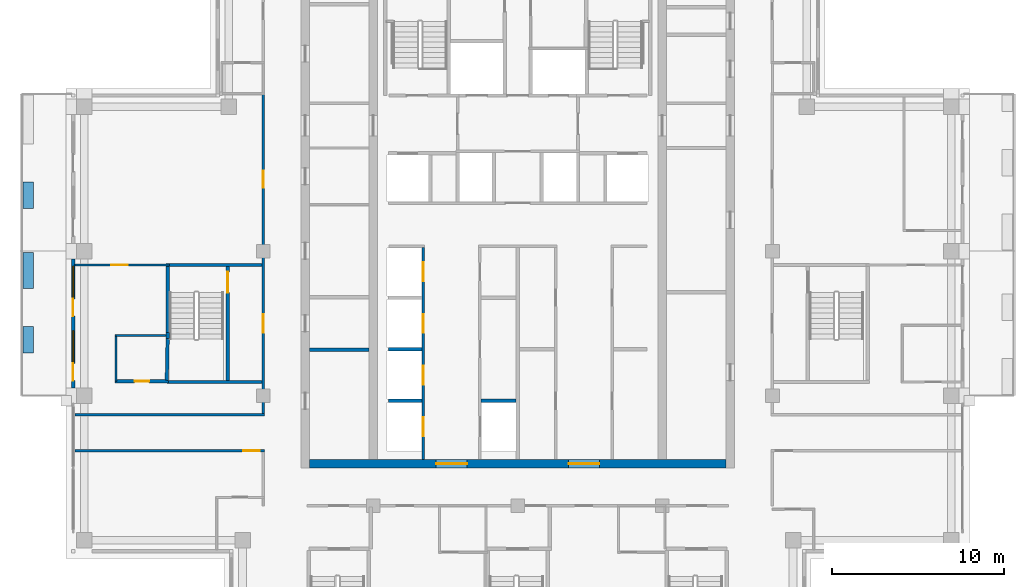
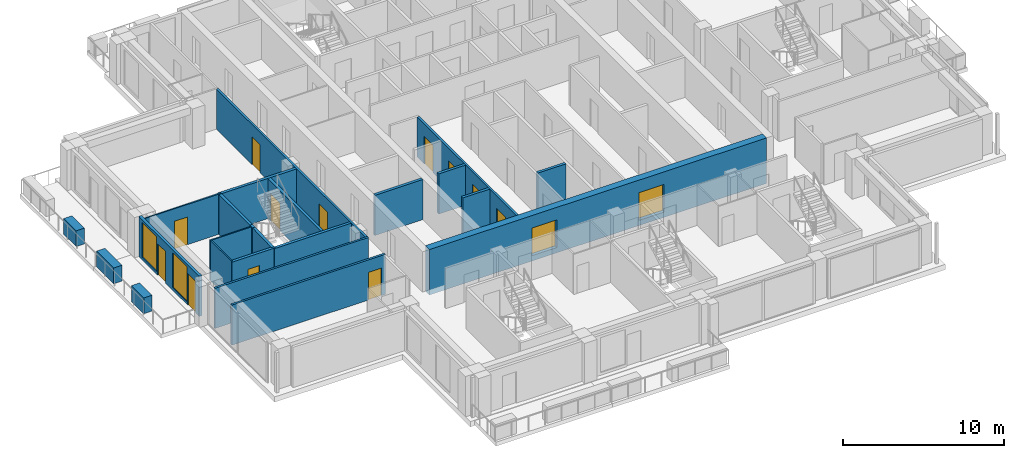
# One storey, part 7 of 16: 23 walls, 14 doors, 2 windows, 16 openings.
"""IFC4 building model written with IfcOpenShell, lengths in metres."""

from ifc_helpers import new_model, si_unit, direction, frame, frame_2d, origin, place, context, subcontext, project, spatial, rectangle, extrude, material, layer, layer_set, type_object, element, fill, save


model = new_model("IFC4")

# Units and contexts
model_context = context("Model", 3, precision=1e-05, world=origin(), true_north=direction((0.0, 1.0)))
body_context = subcontext(model_context, "Body", "Model", "MODEL_VIEW")
ifc_project = project(units=[si_unit("LENGTHUNIT", "METRE"), si_unit("AREAUNIT", "SQUARE_METRE"), si_unit("VOLUMEUNIT", "CUBIC_METRE"), si_unit("PLANEANGLEUNIT", "RADIAN"), si_unit("MASSUNIT", "GRAM", prefix="KILO")], contexts=[model_context])

# Site, building, storey
site_placement = place(None, origin())
site = spatial("IfcSite", under=ifc_project, at=site_placement, CompositionType="ELEMENT")
building_placement = place(site_placement, origin())
building = spatial("IfcBuilding", under=site, at=building_placement, Name="Vermilion Ogive Tower", CompositionType="ELEMENT")
storey_placement = place(building_placement, frame((0.0, 0.0, 251.050048828125)))
storey = spatial("IfcBuildingStorey", under=building, at=storey_placement, Name="L66", CompositionType="ELEMENT", Elevation=251.050048828125)

# Wall, openings, doors
ifc_material_1 = material(Name="Concrete B60", Category="concrete")
ifc_layer_1 = layer(ifc_material_1, 0.5)
ifc_layer_set_1 = layer_set([ifc_layer_1], Name="Core wall 500 B60")
wall_type_1 = type_object("IfcWallType", Name="Core wall 500 B60", PredefinedType="SHEAR", material=ifc_layer_set_1)
wall_1_placement = place(storey_placement, frame((-12.10009765625, -8.14990234375, -0.400146484375), z_axis=(0.0, 0.0, 1.0), x_axis=(1.0, 0.0, 0.0)))
wall_1 = element("IfcWall", 1, at=wall_1_placement, inside=storey, type_object=wall_type_1, Name="L66-CORE-S", PredefinedType="SHEAR", context=body_context, shape_type="SweptSolid", body=[
    extrude(rectangle(XDim=24.2001953125, YDim=0.5, at=frame_2d((12.10009765625, 0.0))), origin(), (0.0, 0.0, 1.0), 3.4501953125),
])
opening_1_placement = place(wall_1_placement, frame((7.35009765625, 0.0, 0.39990234375)))
opening_1 = element("IfcOpeningElement", 2, at=opening_1_placement, cuts=wall_1, Name="Opening DAH053", PredefinedType="OPENING", context=body_context, shape_type="SweptSolid", body=[
    extrude(rectangle(XDim=1.800048828125, YDim=2.10009765625, at=frame_2d((0.89990234375, 1.050048828125))), frame((0.0, 0.260009765625, 0.0), z_axis=(0.0, -1.0, 0.0), x_axis=(1.0, 0.0, 0.0)), (0.0, 0.0, 1.0), 0.52001953125),
])
opening_2_placement = place(wall_1_placement, frame((15.050048828125, 0.0, 0.39990234375)))
opening_2 = element("IfcOpeningElement", 3, at=opening_2_placement, cuts=wall_1, Name="Opening DAH054", PredefinedType="OPENING", context=body_context, shape_type="SweptSolid", body=[
    extrude(rectangle(XDim=1.800048828125, YDim=2.10009765625, at=frame_2d((0.89990234375, 1.050048828125))), frame((0.0, 0.260009765625, 0.0), z_axis=(0.0, -1.0, 0.0), x_axis=(1.0, 0.0, 0.0)), (0.0, 0.0, 1.0), 0.52001953125),
])
ifc_material_2 = material(Name="Timber door leaf", Category="wood")
door_type_1 = type_object("IfcDoorType", Name="Core entry door 1800 x 2100 FD60S", OperationType="DOUBLE_DOOR_SINGLE_SWING", PredefinedType="DOOR", material=ifc_material_2)
door_1_placement = place(opening_1_placement, origin())
door_1 = element("IfcDoor", 4, at=door_1_placement, inside=storey, type_object=door_type_1, Name="L66-CK-XD1", OperationType="SINGLE_SWING_LEFT", OverallHeight=2.10009765625, OverallWidth=1.800048828125, PredefinedType="DOOR", context=body_context, shape_type="SweptSolid", body=[
    extrude(rectangle(XDim=1.800048828125, YDim=2.10009765625, at=frame_2d((0.89990234375, 1.050048828125))), frame((0.0, 0.02490234375, 0.0), z_axis=(0.0, -1.0, 0.0), x_axis=(1.0, 0.0, 0.0)), (0.0, 0.0, 1.0), 0.050048828125),
])
fill(opening_1, door_1)
door_2_placement = place(opening_2_placement, origin())
door_2 = element("IfcDoor", 5, at=door_2_placement, inside=storey, type_object=door_type_1, Name="L66-CK-XD2", OperationType="SINGLE_SWING_LEFT", OverallHeight=2.10009765625, OverallWidth=1.800048828125, PredefinedType="DOOR", context=body_context, shape_type="SweptSolid", body=[
    extrude(rectangle(XDim=1.800048828125, YDim=2.10009765625, at=frame_2d((0.89990234375, 1.050048828125))), frame((0.0, 0.02490234375, 0.0), z_axis=(0.0, -1.0, 0.0), x_axis=(1.0, 0.0, 0.0)), (0.0, 0.0, 1.0), 0.050048828125),
])
fill(opening_2, door_2)

# Walls
ifc_material_3 = material(Name="Gypsum board partition on steel studs", Category="steel")
ifc_layer_2 = layer(ifc_material_3, 0.10009765625)
ifc_layer_set_2 = layer_set([ifc_layer_2], Name="Partition 100 bath")
wall_type_2 = type_object("IfcWallType", Name="Partition 100 bath", PredefinedType="PARTITIONING", material=ifc_layer_set_2)
wall_2_placement = place(storey_placement, frame((-23.39794921875, -0.699951171875, 0.0), z_axis=(0.0, 0.0, 1.0), x_axis=(1.0, 0.0, 0.0)))
element("IfcWall", 6, at=wall_2_placement, inside=storey, type_object=wall_type_2, Name="L66-W-W022", PredefinedType="PARTITIONING", context=body_context, shape_type="SweptSolid", body=[
    extrude(rectangle(XDim=2.947998046875, YDim=0.10009765625, at=frame_2d((1.47412109375, 0.0))), origin(), (0.0, 0.0, 1.0), 3.050048828125),
])
wall_3_placement = place(storey_placement, frame((-23.35009765625, -3.347900390625, 0.0), z_axis=(0.0, 0.0, 1.0), x_axis=(0.0, 1.0, 0.0)))
element("IfcWall", 7, at=wall_3_placement, inside=storey, type_object=wall_type_2, Name="L66-W-W035", PredefinedType="PARTITIONING", context=body_context, shape_type="SweptSolid", body=[
    extrude(rectangle(XDim=2.595947265625, YDim=0.10009765625, at=frame_2d((1.2978515625, 0.0))), origin(), (0.0, 0.0, 1.0), 3.050048828125),
])

# Wall, opening, door
ifc_material_4 = material(Name="Gypsum board partition on steel studs", Category="steel")
ifc_layer_3 = layer(ifc_material_4, 0.10009765625)
ifc_layer_set_3 = layer_set([ifc_layer_3], Name="Partition 100 inner")
wall_type_3 = type_object("IfcWallType", Name="Partition 100 inner", PredefinedType="PARTITIONING", material=ifc_layer_set_3)
wall_4_placement = place(storey_placement, frame((-25.75, 3.39990234375, 0.0), z_axis=(0.0, 0.0, 1.0), x_axis=(1.0, 0.0, 0.0)))
wall_4 = element("IfcWall", 8, at=wall_4_placement, inside=storey, type_object=wall_type_3, Name="L66-W-W024", PredefinedType="PARTITIONING", context=body_context, shape_type="SweptSolid", body=[
    extrude(rectangle(XDim=5.5, YDim=0.10009765625, at=frame_2d((2.75, 0.0))), origin(), (0.0, 0.0, 1.0), 3.050048828125),
])
opening_3_placement = place(wall_4_placement, frame((2.125, 0.0, 0.0)))
opening_3 = element("IfcOpeningElement", 9, at=opening_3_placement, cuts=wall_4, Name="Opening D5G4004", PredefinedType="OPENING", context=body_context, shape_type="SweptSolid", body=[
    extrude(rectangle(XDim=0.949951171875, YDim=2.10009765625, at=frame_2d((0.47509765625, 1.050048828125))), frame((0.0, 0.06005859375, 0.0), z_axis=(0.0, -1.0, 0.0), x_axis=(1.0, 0.0, 0.0)), (0.0, 0.0, 1.0), 0.1201171875),
])
ifc_material_5 = material(Name="Timber door leaf", Category="wood")
door_type_2 = type_object("IfcDoorType", Name="Inner door 950 x 2100 FD30", OperationType="SINGLE_SWING_LEFT", PredefinedType="DOOR", material=ifc_material_5)
door_3_placement = place(opening_3_placement, origin())
door_3 = element("IfcDoor", 10, at=door_3_placement, inside=storey, type_object=door_type_2, Name="L66-D-D004", OperationType="SINGLE_SWING_LEFT", OverallHeight=2.10009765625, OverallWidth=0.949951171875, PredefinedType="DOOR", context=body_context, shape_type="SweptSolid", body=[
    extrude(rectangle(XDim=0.949951171875, YDim=2.10009765625, at=frame_2d((0.47509765625, 1.050048828125))), frame((0.0, 0.02490234375, 0.0), z_axis=(0.0, -1.0, 0.0), x_axis=(1.0, 0.0, 0.0)), (0.0, 0.0, 1.0), 0.050048828125),
])
fill(opening_3, door_3)

ifc_material_6 = material(Name="Gypsum board partition on steel studs", Category="steel")
ifc_layer_4 = layer(ifc_material_6, 0.14990234375)
ifc_layer_set_4 = layer_set([ifc_layer_4], Name="Partition 150 corridor")
wall_type_4 = type_object("IfcWallType", Name="Partition 150 corridor", PredefinedType="PARTITIONING", material=ifc_layer_set_4)
wall_5_placement = place(storey_placement, frame((-25.75, -7.39990234375, 0.0), z_axis=(0.0, 0.0, 1.0), x_axis=(1.0, 0.0, 0.0)))
wall_5 = element("IfcWall", 11, at=wall_5_placement, inside=storey, type_object=wall_type_4, Name="L66-W-W014", PredefinedType="PARTITIONING", context=body_context, shape_type="SweptSolid", body=[
    extrude(rectangle(XDim=11.02490234375, YDim=0.14990234375, at=frame_2d((5.512451171875, 0.0))), origin(), (0.0, 0.0, 1.0), 3.050048828125),
])
opening_4_placement = place(wall_5_placement, frame((9.800048828125, 0.0, 0.0)))
opening_4 = element("IfcOpeningElement", 12, at=opening_4_placement, cuts=wall_5, Name="Opening D5G4001", PredefinedType="OPENING", context=body_context, shape_type="SweptSolid", body=[
    extrude(rectangle(XDim=0.949951171875, YDim=2.10009765625, at=frame_2d((0.47509765625, 1.050048828125))), frame((0.0, 0.0849609375, 0.0), z_axis=(0.0, -1.0, 0.0), x_axis=(1.0, 0.0, 0.0)), (0.0, 0.0, 1.0), 0.169921875),
])
ifc_material_7 = material(Name="Timber door leaf", Category="wood")
door_type_3 = type_object("IfcDoorType", Name="Unit door 950 x 2100 FD30S", OperationType="SINGLE_SWING_LEFT", PredefinedType="DOOR", material=ifc_material_7)
door_4_placement = place(opening_4_placement, origin())
door_4 = element("IfcDoor", 13, at=door_4_placement, inside=storey, type_object=door_type_3, Name="L66-D-D001", OperationType="SINGLE_SWING_RIGHT", OverallHeight=2.10009765625, OverallWidth=0.949951171875, PredefinedType="DOOR", context=body_context, shape_type="SweptSolid", body=[
    extrude(rectangle(XDim=0.949951171875, YDim=2.10009765625, at=frame_2d((0.47509765625, 1.050048828125))), frame((0.0, 0.02490234375, 0.0), z_axis=(0.0, -1.0, 0.0), x_axis=(1.0, 0.0, 0.0)), (0.0, 0.0, 1.0), 0.050048828125),
])
fill(opening_4, door_4)

# Wall
wall_6_placement = place(storey_placement, frame((-25.75, -5.300048828125, 0.0), z_axis=(0.0, 0.0, 1.0), x_axis=(1.0, 0.0, 0.0)))
element("IfcWall", 14, at=wall_6_placement, inside=storey, type_object=wall_type_4, Name="L66-W-W016", PredefinedType="PARTITIONING", context=body_context, shape_type="SweptSolid", body=[
    extrude(rectangle(XDim=11.02294921875, YDim=0.14990234375, at=frame_2d((5.511474609375, 0.0))), origin(), (0.0, 0.0, 1.0), 3.050048828125),
])

# Wall, openings, doors
wall_7_placement = place(storey_placement, frame((-14.800048828125, -5.222900390625, 0.0), z_axis=(0.0, 0.0, 1.0), x_axis=(0.0, 1.0, 0.0)))
wall_7 = element("IfcWall", 15, at=wall_7_placement, inside=storey, type_object=wall_type_4, Name="L66-W-W043", PredefinedType="PARTITIONING", context=body_context, shape_type="SweptSolid", body=[
    extrude(rectangle(XDim=18.52294921875, YDim=0.14990234375, at=frame_2d((9.261474609375, 0.0))), origin(), (0.0, 0.0, 1.0), 3.050048828125),
])
opening_5_placement = place(wall_7_placement, frame((13.097900390625, 0.0, 0.0)))
opening_5 = element("IfcOpeningElement", 16, at=opening_5_placement, cuts=wall_7, Name="Opening D5G4003", PredefinedType="OPENING", context=body_context, shape_type="SweptSolid", body=[
    extrude(rectangle(XDim=1.0, YDim=2.10009765625, at=frame_2d((0.5, 1.050048828125))), frame((0.0, 0.0849609375, 0.0), z_axis=(0.0, -1.0, 0.0), x_axis=(1.0, 0.0, 0.0)), (0.0, 0.0, 1.0), 0.169921875),
])
opening_6_placement = place(wall_7_placement, frame((4.6728515625, 0.0, 0.0)))
opening_6 = element("IfcOpeningElement", 17, at=opening_6_placement, cuts=wall_7, Name="Opening D5G4028", PredefinedType="OPENING", context=body_context, shape_type="SweptSolid", body=[
    extrude(rectangle(XDim=1.10009765625, YDim=2.10009765625, at=frame_2d((0.550048828125, 1.050048828125))), frame((0.0, 0.0849609375, 0.0), z_axis=(0.0, -1.0, 0.0), x_axis=(1.0, 0.0, 0.0)), (0.0, 0.0, 1.0), 0.169921875),
])
ifc_material_8 = material(Name="Timber door leaf", Category="wood")
door_type_4 = type_object("IfcDoorType", Name="Stair door 1100 x 2100 FD60S", OperationType="SINGLE_SWING_LEFT", PredefinedType="DOOR", material=ifc_material_8)
door_5_placement = place(opening_6_placement, origin())
door_5 = element("IfcDoor", 18, at=door_5_placement, inside=storey, type_object=door_type_4, Name="L66-D-D028", OperationType="SINGLE_SWING_LEFT", OverallHeight=2.10009765625, OverallWidth=1.10009765625, PredefinedType="DOOR", context=body_context, shape_type="SweptSolid", body=[
    extrude(rectangle(XDim=1.10009765625, YDim=2.10009765625, at=frame_2d((0.550048828125, 1.050048828125))), frame((0.0, 0.02490234375, 0.0), z_axis=(0.0, -1.0, 0.0), x_axis=(1.0, 0.0, 0.0)), (0.0, 0.0, 1.0), 0.050048828125),
])
fill(opening_6, door_5)
ifc_material_9 = material(Name="Timber door leaf", Category="wood")
door_type_5 = type_object("IfcDoorType", Name="Unit door 1000 x 2100 FD30S", OperationType="SINGLE_SWING_LEFT", PredefinedType="DOOR", material=ifc_material_9)
door_6_placement = place(opening_5_placement, origin())
door_6 = element("IfcDoor", 19, at=door_6_placement, inside=storey, type_object=door_type_5, Name="L66-D-D003", OperationType="SINGLE_SWING_LEFT", OverallHeight=2.10009765625, OverallWidth=1.0, PredefinedType="DOOR", context=body_context, shape_type="SweptSolid", body=[
    extrude(rectangle(XDim=1.0, YDim=2.10009765625, at=frame_2d((0.5, 1.050048828125))), frame((0.0, 0.02490234375, 0.0), z_axis=(0.0, -1.0, 0.0), x_axis=(1.0, 0.0, 0.0)), (0.0, 0.0, 1.0), 0.050048828125),
])
fill(opening_5, door_6)

wall_8_placement = place(storey_placement, frame((-5.5, -7.89892578125, 0.0), z_axis=(0.0, 0.0, 1.0), x_axis=(0.0, 1.0, 0.0)))
wall_8 = element("IfcWall", 20, at=wall_8_placement, inside=storey, type_object=wall_type_4, Name="L66-CK-W-W020", PredefinedType="PARTITIONING", context=body_context, shape_type="SweptSolid", body=[
    extrude(rectangle(XDim=12.323974609375, YDim=0.14990234375, at=frame_2d((6.162109375, 0.0))), origin(), (0.0, 0.0, 1.0), 3.050048828125),
])
opening_7_placement = place(wall_8_placement, frame((1.348876953125, 0.0, 0.0)))
opening_7 = element("IfcOpeningElement", 21, at=opening_7_placement, cuts=wall_8, Name="Opening DAA624", PredefinedType="OPENING", context=body_context, shape_type="SweptSolid", body=[
    extrude(rectangle(XDim=1.10009765625, YDim=2.10009765625, at=frame_2d((0.550048828125, 1.050048828125))), frame((0.0, 0.0849609375, 0.0), z_axis=(0.0, -1.0, 0.0), x_axis=(1.0, 0.0, 0.0)), (0.0, 0.0, 1.0), 0.169921875),
])
opening_8_placement = place(wall_8_placement, frame((4.348876953125, 0.0, 0.0)))
opening_8 = element("IfcOpeningElement", 22, at=opening_8_placement, cuts=wall_8, Name="Opening DAA625", PredefinedType="OPENING", context=body_context, shape_type="SweptSolid", body=[
    extrude(rectangle(XDim=1.10009765625, YDim=2.10009765625, at=frame_2d((0.550048828125, 1.050048828125))), frame((0.0, 0.0849609375, 0.0), z_axis=(0.0, -1.0, 0.0), x_axis=(1.0, 0.0, 0.0)), (0.0, 0.0, 1.0), 0.169921875),
])
opening_9_placement = place(wall_8_placement, frame((7.348876953125, 0.0, 0.0)))
opening_9 = element("IfcOpeningElement", 23, at=opening_9_placement, cuts=wall_8, Name="Opening DAA626", PredefinedType="OPENING", context=body_context, shape_type="SweptSolid", body=[
    extrude(rectangle(XDim=1.10009765625, YDim=2.10009765625, at=frame_2d((0.550048828125, 1.050048828125))), frame((0.0, 0.0849609375, 0.0), z_axis=(0.0, -1.0, 0.0), x_axis=(1.0, 0.0, 0.0)), (0.0, 0.0, 1.0), 0.169921875),
])
opening_10_placement = place(wall_8_placement, frame((10.348876953125, 0.0, 0.0)))
opening_10 = element("IfcOpeningElement", 24, at=opening_10_placement, cuts=wall_8, Name="Opening DAA627", PredefinedType="OPENING", context=body_context, shape_type="SweptSolid", body=[
    extrude(rectangle(XDim=1.10009765625, YDim=2.10009765625, at=frame_2d((0.550048828125, 1.050048828125))), frame((0.0, 0.0849609375, 0.0), z_axis=(0.0, -1.0, 0.0), x_axis=(1.0, 0.0, 0.0)), (0.0, 0.0, 1.0), 0.169921875),
])
ifc_material_10 = material(Name="Stainless steel", Category="steel")
door_type_6 = type_object("IfcDoorType", Name="Lift landing door 1100 x 2100", OperationType="SLIDING_TO_LEFT", PredefinedType="DOOR", material=ifc_material_10)
door_7_placement = place(opening_7_placement, origin())
door_7 = element("IfcDoor", 25, at=door_7_placement, inside=storey, type_object=door_type_6, Name="L66-CK-D-D001", OperationType="SLIDING_TO_LEFT", OverallHeight=2.10009765625, OverallWidth=1.10009765625, PredefinedType="DOOR", context=body_context, shape_type="SweptSolid", body=[
    extrude(rectangle(XDim=1.10009765625, YDim=2.10009765625, at=frame_2d((0.550048828125, 1.050048828125))), frame((0.0, 0.02490234375, 0.0), z_axis=(0.0, -1.0, 0.0), x_axis=(1.0, 0.0, 0.0)), (0.0, 0.0, 1.0), 0.050048828125),
])
fill(opening_7, door_7)
door_8_placement = place(opening_8_placement, origin())
door_8 = element("IfcDoor", 26, at=door_8_placement, inside=storey, type_object=door_type_6, Name="L66-CK-D-D002", OperationType="SLIDING_TO_LEFT", OverallHeight=2.10009765625, OverallWidth=1.10009765625, PredefinedType="DOOR", context=body_context, shape_type="SweptSolid", body=[
    extrude(rectangle(XDim=1.10009765625, YDim=2.10009765625, at=frame_2d((0.550048828125, 1.050048828125))), frame((0.0, 0.02490234375, 0.0), z_axis=(0.0, -1.0, 0.0), x_axis=(1.0, 0.0, 0.0)), (0.0, 0.0, 1.0), 0.050048828125),
])
fill(opening_8, door_8)
door_9_placement = place(opening_9_placement, origin())
door_9 = element("IfcDoor", 27, at=door_9_placement, inside=storey, type_object=door_type_6, Name="L66-CK-D-D003", OperationType="SLIDING_TO_LEFT", OverallHeight=2.10009765625, OverallWidth=1.10009765625, PredefinedType="DOOR", context=body_context, shape_type="SweptSolid", body=[
    extrude(rectangle(XDim=1.10009765625, YDim=2.10009765625, at=frame_2d((0.550048828125, 1.050048828125))), frame((0.0, 0.02490234375, 0.0), z_axis=(0.0, -1.0, 0.0), x_axis=(1.0, 0.0, 0.0)), (0.0, 0.0, 1.0), 0.050048828125),
])
fill(opening_9, door_9)
door_10_placement = place(opening_10_placement, origin())
door_10 = element("IfcDoor", 28, at=door_10_placement, inside=storey, type_object=door_type_6, Name="L66-CK-D-D004", OperationType="SLIDING_TO_LEFT", OverallHeight=2.10009765625, OverallWidth=1.10009765625, PredefinedType="DOOR", context=body_context, shape_type="SweptSolid", body=[
    extrude(rectangle(XDim=1.10009765625, YDim=2.10009765625, at=frame_2d((0.550048828125, 1.050048828125))), frame((0.0, 0.02490234375, 0.0), z_axis=(0.0, -1.0, 0.0), x_axis=(1.0, 0.0, 0.0)), (0.0, 0.0, 1.0), 0.050048828125),
])
fill(opening_10, door_10)

# Walls
ifc_material_11 = material(Name="Gypsum board partition on steel studs", Category="steel")
ifc_layer_5 = layer(ifc_material_11, 0.199951171875)
ifc_layer_set_5 = layer_set([ifc_layer_5], Name="Partition 200 party")
wall_type_5 = type_object("IfcWallType", Name="Partition 200 party", PredefinedType="PARTITIONING", material=ifc_layer_set_5)
wall_9_placement = place(storey_placement, frame((-7.5, -4.5, 0.0), z_axis=(0.0, 0.0, 1.0), x_axis=(1.0, 0.0, 0.0)))
element("IfcWall", 29, at=wall_9_placement, inside=storey, type_object=wall_type_5, Name="L66-CK-W-W001", PredefinedType="PARTITIONING", context=body_context, shape_type="SweptSolid", body=[
    extrude(rectangle(XDim=1.925048828125, YDim=0.199951171875, at=frame_2d((0.96240234375, 0.0))), origin(), (0.0, 0.0, 1.0), 3.050048828125),
])
wall_10_placement = place(storey_placement, frame((-2.125, -4.5, 0.0), z_axis=(0.0, 0.0, 1.0), x_axis=(1.0, 0.0, 0.0)))
element("IfcWall", 30, at=wall_10_placement, inside=storey, type_object=wall_type_5, Name="L66-CK-W-W002", PredefinedType="PARTITIONING", context=body_context, shape_type="SweptSolid", body=[
    extrude(rectangle(XDim=2.02490234375, YDim=0.199951171875, at=frame_2d((1.012451171875, 0.0))), origin(), (0.0, 0.0, 1.0), 3.050048828125),
])
wall_11_placement = place(storey_placement, frame((-7.5, -1.5, 0.0), z_axis=(0.0, 0.0, 1.0), x_axis=(1.0, 0.0, 0.0)))
element("IfcWall", 31, at=wall_11_placement, inside=storey, type_object=wall_type_5, Name="L66-CK-W-W003", PredefinedType="PARTITIONING", context=body_context, shape_type="SweptSolid", body=[
    extrude(rectangle(XDim=1.925048828125, YDim=0.199951171875, at=frame_2d((0.96240234375, 0.0))), origin(), (0.0, 0.0, 1.0), 3.050048828125),
])
wall_12_placement = place(storey_placement, frame((-12.09912109375, -1.51904296875, 0.0), z_axis=(0.0, 0.0, 1.0), x_axis=(1.0, 0.0, 0.0)))
element("IfcWall", 32, at=wall_12_placement, inside=storey, type_object=wall_type_5, Name="L66-CKW-W-W001", PredefinedType="PARTITIONING", context=body_context, shape_type="SweptSolid", body=[
    extrude(rectangle(XDim=3.4482421875, YDim=0.199951171875, at=frame_2d((1.72412109375, 0.0))), origin(), (0.0, 0.0, 1.0), 3.050048828125),
])

# Wall, opening, door
ifc_material_12 = material(Name="Concrete B60", Category="concrete")
ifc_layer_6 = layer(ifc_material_12, 0.199951171875)
ifc_layer_set_6 = layer_set([ifc_layer_6], Name="Stair shaft wall 200 Concrete B60")
wall_type_6 = type_object("IfcWallType", Name="Stair shaft wall 200 Concrete B60", PredefinedType="SOLIDWALL", material=ifc_layer_set_6)
wall_13_placement = place(storey_placement, frame((-23.39794921875, -3.349853515625, 0.0), z_axis=(0.0, 0.0, 1.0), x_axis=(1.0, 0.0, 0.0)))
wall_13 = element("IfcWall", 33, at=wall_13_placement, inside=storey, type_object=wall_type_6, Name="L66-W-W018", PredefinedType="SOLIDWALL", context=body_context, shape_type="SweptSolid", body=[
    extrude(rectangle(XDim=3.097900390625, YDim=0.199951171875, at=frame_2d((1.548828125, 0.0))), origin(), (0.0, 0.0, 1.0), 3.050048828125),
])
opening_11_placement = place(wall_13_placement, frame((1.123046875, 0.0, 0.0)))
opening_11 = element("IfcOpeningElement", 34, at=opening_11_placement, cuts=wall_13, Name="Opening D5G4005", PredefinedType="OPENING", context=body_context, shape_type="SweptSolid", body=[
    extrude(rectangle(XDim=0.85009765625, YDim=2.10009765625, at=frame_2d((0.425048828125, 1.050048828125))), frame((0.0, 0.10986328125, 0.0), z_axis=(0.0, -1.0, 0.0), x_axis=(1.0, 0.0, 0.0)), (0.0, 0.0, 1.0), 0.219970703125),
])
ifc_material_13 = material(Name="Timber door leaf", Category="wood")
door_type_7 = type_object("IfcDoorType", Name="Bath door 850 x 2100 FD30", OperationType="SINGLE_SWING_LEFT", PredefinedType="DOOR", material=ifc_material_13)
door_11_placement = place(opening_11_placement, origin())
door_11 = element("IfcDoor", 35, at=door_11_placement, inside=storey, type_object=door_type_7, Name="L66-D-D005", OperationType="SINGLE_SWING_LEFT", OverallHeight=2.10009765625, OverallWidth=0.85009765625, PredefinedType="DOOR", context=body_context, shape_type="SweptSolid", body=[
    extrude(rectangle(XDim=0.85009765625, YDim=2.10009765625, at=frame_2d((0.425048828125, 1.050048828125))), frame((0.0, 0.02490234375, 0.0), z_axis=(0.0, -1.0, 0.0), x_axis=(1.0, 0.0, 0.0)), (0.0, 0.0, 1.0), 0.050048828125),
])
fill(opening_11, door_11)

# Walls
wall_14_placement = place(storey_placement, frame((-20.39990234375, -3.39990234375, 0.0), z_axis=(0.0, 0.0, 1.0), x_axis=(1.0, 0.0, 0.0)))
element("IfcWall", 36, at=wall_14_placement, inside=storey, type_object=wall_type_6, Name="L66-W-W019", PredefinedType="SOLIDWALL", context=body_context, shape_type="SweptSolid", body=[
    extrude(rectangle(XDim=5.52294921875, YDim=0.199951171875, at=frame_2d((2.761474609375, 0.0))), origin(), (0.0, 0.0, 1.0), 3.050048828125),
])
wall_15_placement = place(storey_placement, frame((-20.449951171875, 3.39990234375, 0.0), z_axis=(0.0, 0.0, 1.0), x_axis=(1.0, 0.0, 0.0)))
element("IfcWall", 37, at=wall_15_placement, inside=storey, type_object=wall_type_6, Name="L66-W-W025", PredefinedType="SOLIDWALL", context=body_context, shape_type="SweptSolid", body=[
    extrude(rectangle(XDim=5.574951171875, YDim=0.199951171875, at=frame_2d((2.78759765625, 0.0))), origin(), (0.0, 0.0, 1.0), 3.050048828125),
])
wall_16_placement = place(storey_placement, frame((-20.400146484375, -3.300048828125, 0.0), z_axis=(0.0, 0.0, 1.0), x_axis=(0.019989976481, 0.999800180456, 0.0)))
element("IfcWall", 38, at=wall_16_placement, inside=storey, type_object=wall_type_6, Name="L66-W-W036", PredefinedType="SOLIDWALL", context=body_context, shape_type="SweptSolid", body=[
    extrude(rectangle(XDim=2.430419921875, YDim=0.199951171875, at=frame_2d((1.21533203125, 0.0))), origin(), (0.0, 0.0, 1.0), 3.050048828125),
])
wall_17_placement = place(storey_placement, frame((-20.35009765625, -0.52978515625, 0.0), z_axis=(0.0, 0.0, 1.0), x_axis=(0.0, 1.0, 0.0)))
element("IfcWall", 39, at=wall_17_placement, inside=storey, type_object=wall_type_6, Name="L66-W-W037", PredefinedType="SOLIDWALL", context=body_context, shape_type="SweptSolid", body=[
    extrude(rectangle(XDim=3.829833984375, YDim=0.199951171875, at=frame_2d((1.9150390625, 0.0))), origin(), (0.0, 0.0, 1.0), 3.050048828125),
])

# Wall, opening, door
wall_18_placement = place(storey_placement, frame((-16.85009765625, -3.300048828125, 0.0), z_axis=(0.0, 0.0, 1.0), x_axis=(0.0, 1.0, 0.0)))
wall_18 = element("IfcWall", 40, at=wall_18_placement, inside=storey, type_object=wall_type_6, Name="L66-W-W040", PredefinedType="SOLIDWALL", context=body_context, shape_type="SweptSolid", body=[
    extrude(rectangle(XDim=6.60009765625, YDim=0.199951171875, at=frame_2d((3.300048828125, 0.0))), origin(), (0.0, 0.0, 1.0), 3.050048828125),
])
opening_12_placement = place(wall_18_placement, frame((5.10009765625, 0.0, 0.0)))
opening_12 = element("IfcOpeningElement", 41, at=opening_12_placement, cuts=wall_18, Name="Opening D5G4029", PredefinedType="OPENING", context=body_context, shape_type="SweptSolid", body=[
    extrude(rectangle(XDim=1.199951171875, YDim=2.10009765625, at=frame_2d((0.60009765625, 1.050048828125))), frame((0.0, 0.10986328125, 0.0), z_axis=(0.0, -1.0, 0.0), x_axis=(1.0, 0.0, 0.0)), (0.0, 0.0, 1.0), 0.219970703125),
])
ifc_material_14 = material(Name="Timber door leaf", Category="wood")
door_type_8 = type_object("IfcDoorType", Name="Stair door 1200 x 2100 FD60S", OperationType="SINGLE_SWING_LEFT", PredefinedType="DOOR", material=ifc_material_14)
door_12_placement = place(opening_12_placement, origin())
door_12 = element("IfcDoor", 42, at=door_12_placement, inside=storey, type_object=door_type_8, Name="L66-D-D029", OperationType="SINGLE_SWING_RIGHT", OverallHeight=2.10009765625, OverallWidth=1.199951171875, PredefinedType="DOOR", context=body_context, shape_type="SweptSolid", body=[
    extrude(rectangle(XDim=1.199951171875, YDim=2.10009765625, at=frame_2d((0.60009765625, 1.050048828125))), frame((0.0, 0.02490234375, 0.0), z_axis=(0.0, -1.0, 0.0), x_axis=(1.0, 0.0, 0.0)), (0.0, 0.0, 1.0), 0.050048828125),
])
fill(opening_12, door_12)

# Walls
wall_19_placement = place(storey_placement, frame((-20.35009765625, -0.8701171875, 0.0), z_axis=(0.0, 0.0, 1.0), x_axis=(0.0, 1.0, 0.0)))
element("IfcWall", 43, at=wall_19_placement, inside=storey, type_object=wall_type_6, Name="L66-SW-ST9-W1", PredefinedType="SOLIDWALL", context=body_context, shape_type="SweptSolid", body=[
    extrude(rectangle(XDim=0.34033203125, YDim=0.199951171875, at=frame_2d((0.170166015625, 0.0))), origin(), (0.0, 0.0, 1.0), 3.050048828125),
])
ifc_material_15 = material(Name="Concrete B40", Category="concrete")
ifc_layer_7 = layer(ifc_material_15, 0.60009765625)
ifc_layer_set_7 = layer_set([ifc_layer_7], Name="Structural planter")
wall_type_7 = type_object("IfcWallType", Name="Structural planter", PredefinedType="USERDEFINED", material=ifc_layer_set_7)
wall_20_placement = place(storey_placement, frame((-28.45361328125, 8.22509765625, -0.0400390625), z_axis=(0.0, 0.0, 1.0), x_axis=(0.0, -1.0, 0.0)))
element("IfcWall", 44, at=wall_20_placement, inside=storey, type_object=wall_type_7, Name="Planter W01A2", ObjectType="PLANTER", PredefinedType="USERDEFINED", context=body_context, shape_type="SweptSolid", body=[
    extrude(rectangle(XDim=1.550048828125, YDim=0.60009765625, at=frame_2d((0.77490234375, 0.0))), origin(), (0.0, 0.0, 1.0), 1.199951171875),
])
wall_21_placement = place(storey_placement, frame((-28.45361328125, 4.139892578125, -0.0400390625), z_axis=(0.0, 0.0, 1.0), x_axis=(0.0, -1.0, 0.0)))
element("IfcWall", 45, at=wall_21_placement, inside=storey, type_object=wall_type_7, Name="Planter W02A1", ObjectType="PLANTER", PredefinedType="USERDEFINED", context=body_context, shape_type="SweptSolid", body=[
    extrude(rectangle(XDim=2.114990234375, YDim=0.60009765625, at=frame_2d((1.0576171875, 0.0))), origin(), (0.0, 0.0, 1.0), 1.199951171875),
])
wall_22_placement = place(storey_placement, frame((-28.45361328125, -0.175048828125, -0.0400390625), z_axis=(0.0, 0.0, 1.0), x_axis=(0.0, -1.0, 0.0)))
element("IfcWall", 46, at=wall_22_placement, inside=storey, type_object=wall_type_7, Name="Planter W02A2", ObjectType="PLANTER", PredefinedType="USERDEFINED", context=body_context, shape_type="SweptSolid", body=[
    extrude(rectangle(XDim=1.550048828125, YDim=0.60009765625, at=frame_2d((0.77490234375, 0.0))), origin(), (0.0, 0.0, 1.0), 1.199951171875),
])

# Wall, openings, doors, windows
ifc_material_16 = material(Name="Aluminium window wall framing", Category="aluminium")
ifc_layer_8 = layer(ifc_material_16, 0.199951171875)
ifc_layer_set_8 = layer_set([ifc_layer_8], Name="Window wall")
wall_type_8 = type_object("IfcWallType", Name="Window wall", PredefinedType="STANDARD", material=ifc_layer_set_8)
wall_23_placement = place(storey_placement, frame((-25.85009765625, 3.75, 0.0), z_axis=(0.0, 0.0, 1.0), x_axis=(0.0, -1.0, 0.0)))
wall_23 = element("IfcWall", 47, at=wall_23_placement, inside=storey, type_object=wall_type_8, Name="Window wall W2", PredefinedType="STANDARD", context=body_context, shape_type="SweptSolid", body=[
    extrude(rectangle(XDim=7.5, YDim=0.199951171875, at=frame_2d((3.75, 0.0))), origin(), (0.0, 0.0, 1.0), 3.050048828125),
])
opening_13_placement = place(wall_23_placement, frame((4.175048828125, 0.0, 0.199951171875)))
opening_13 = element("IfcOpeningElement", 48, at=opening_13_placement, cuts=wall_23, Name="Opening W1-W99", PredefinedType="OPENING", context=body_context, shape_type="SweptSolid", body=[
    extrude(rectangle(XDim=1.800048828125, YDim=2.64990234375, at=frame_2d((0.89990234375, 1.324951171875))), frame((0.0, 0.10986328125, 0.0), z_axis=(0.0, -1.0, 0.0), x_axis=(1.0, 0.0, 0.0)), (0.0, 0.0, 1.0), 0.219970703125),
])
opening_14_placement = place(wall_23_placement, frame((6.074951171875, 0.0, 0.0)))
opening_14 = element("IfcOpeningElement", 49, at=opening_14_placement, cuts=wall_23, Name="Opening D1-W99", PredefinedType="OPENING", context=body_context, shape_type="SweptSolid", body=[
    extrude(rectangle(XDim=1.0, YDim=2.39990234375, at=frame_2d((0.5, 1.199951171875))), frame((0.0, 0.10986328125, 0.0), z_axis=(0.0, -1.0, 0.0), x_axis=(1.0, 0.0, 0.0)), (0.0, 0.0, 1.0), 0.219970703125),
])
opening_15_placement = place(wall_23_placement, frame((0.425048828125, 0.0, 0.199951171875)))
opening_15 = element("IfcOpeningElement", 50, at=opening_15_placement, cuts=wall_23, Name="Opening W1-W00", PredefinedType="OPENING", context=body_context, shape_type="SweptSolid", body=[
    extrude(rectangle(XDim=1.800048828125, YDim=2.64990234375, at=frame_2d((0.89990234375, 1.324951171875))), frame((0.0, 0.10986328125, 0.0), z_axis=(0.0, -1.0, 0.0), x_axis=(1.0, 0.0, 0.0)), (0.0, 0.0, 1.0), 0.219970703125),
])
opening_16_placement = place(wall_23_placement, frame((2.324951171875, 0.0, 0.0)))
opening_16 = element("IfcOpeningElement", 51, at=opening_16_placement, cuts=wall_23, Name="Opening D1-W00", PredefinedType="OPENING", context=body_context, shape_type="SweptSolid", body=[
    extrude(rectangle(XDim=1.0, YDim=2.39990234375, at=frame_2d((0.5, 1.199951171875))), frame((0.0, 0.10986328125, 0.0), z_axis=(0.0, -1.0, 0.0), x_axis=(1.0, 0.0, 0.0)), (0.0, 0.0, 1.0), 0.219970703125),
])
ifc_material_17 = material(Name="Aluminium framed glazed door", Category="aluminium")
door_type_9 = type_object("IfcDoorType", Name="Balcony door D1", OperationType="SINGLE_SWING_LEFT", PredefinedType="DOOR", material=ifc_material_17)
door_13_placement = place(opening_14_placement, origin())
door_13 = element("IfcDoor", 52, at=door_13_placement, inside=storey, type_object=door_type_9, Name="Balcony door W99", OperationType="SINGLE_SWING_LEFT", OverallHeight=2.39990234375, OverallWidth=1.0, PredefinedType="DOOR", context=body_context, shape_type="SweptSolid", body=[
    extrude(rectangle(XDim=1.0, YDim=2.39990234375, at=frame_2d((0.5, 1.199951171875))), frame((0.0, 0.02490234375, 0.0), z_axis=(0.0, -1.0, 0.0), x_axis=(1.0, 0.0, 0.0)), (0.0, 0.0, 1.0), 0.050048828125),
])
fill(opening_14, door_13)
door_14_placement = place(opening_16_placement, origin())
door_14 = element("IfcDoor", 53, at=door_14_placement, inside=storey, type_object=door_type_9, Name="Balcony door W00", OperationType="SINGLE_SWING_LEFT", OverallHeight=2.39990234375, OverallWidth=1.0, PredefinedType="DOOR", context=body_context, shape_type="SweptSolid", body=[
    extrude(rectangle(XDim=1.0, YDim=2.39990234375, at=frame_2d((0.5, 1.199951171875))), frame((0.0, 0.02490234375, 0.0), z_axis=(0.0, -1.0, 0.0), x_axis=(1.0, 0.0, 0.0)), (0.0, 0.0, 1.0), 0.050048828125),
])
fill(opening_16, door_14)
ifc_material_18 = material(Name="Aluminium framed double glazing", Category="aluminium")
window_type = type_object("IfcWindowType", Name="Guest window W1", PartitioningType="SINGLE_PANEL", PredefinedType="WINDOW", material=ifc_material_18)
window_1_placement = place(opening_13_placement, origin())
window_1 = element("IfcWindow", 54, at=window_1_placement, inside=storey, type_object=window_type, Name="Window W99", OverallHeight=2.64990234375, OverallWidth=1.800048828125, PartitioningType="SINGLE_PANEL", PredefinedType="WINDOW", context=body_context, shape_type="SweptSolid", body=[
    extrude(rectangle(XDim=1.800048828125, YDim=2.64990234375, at=frame_2d((0.89990234375, 1.324951171875))), frame((0.0, 0.030029296875, 0.0), z_axis=(0.0, -1.0, 0.0), x_axis=(1.0, 0.0, 0.0)), (0.0, 0.0, 1.0), 0.06005859375),
])
fill(opening_13, window_1)
window_2_placement = place(opening_15_placement, origin())
window_2 = element("IfcWindow", 55, at=window_2_placement, inside=storey, type_object=window_type, Name="Window W00", OverallHeight=2.64990234375, OverallWidth=1.800048828125, PartitioningType="SINGLE_PANEL", PredefinedType="WINDOW", context=body_context, shape_type="SweptSolid", body=[
    extrude(rectangle(XDim=1.800048828125, YDim=2.64990234375, at=frame_2d((0.89990234375, 1.324951171875))), frame((0.0, 0.030029296875, 0.0), z_axis=(0.0, -1.0, 0.0), x_axis=(1.0, 0.0, 0.0)), (0.0, 0.0, 1.0), 0.06005859375),
])
fill(opening_15, window_2)

save(model, "model.ifc")
